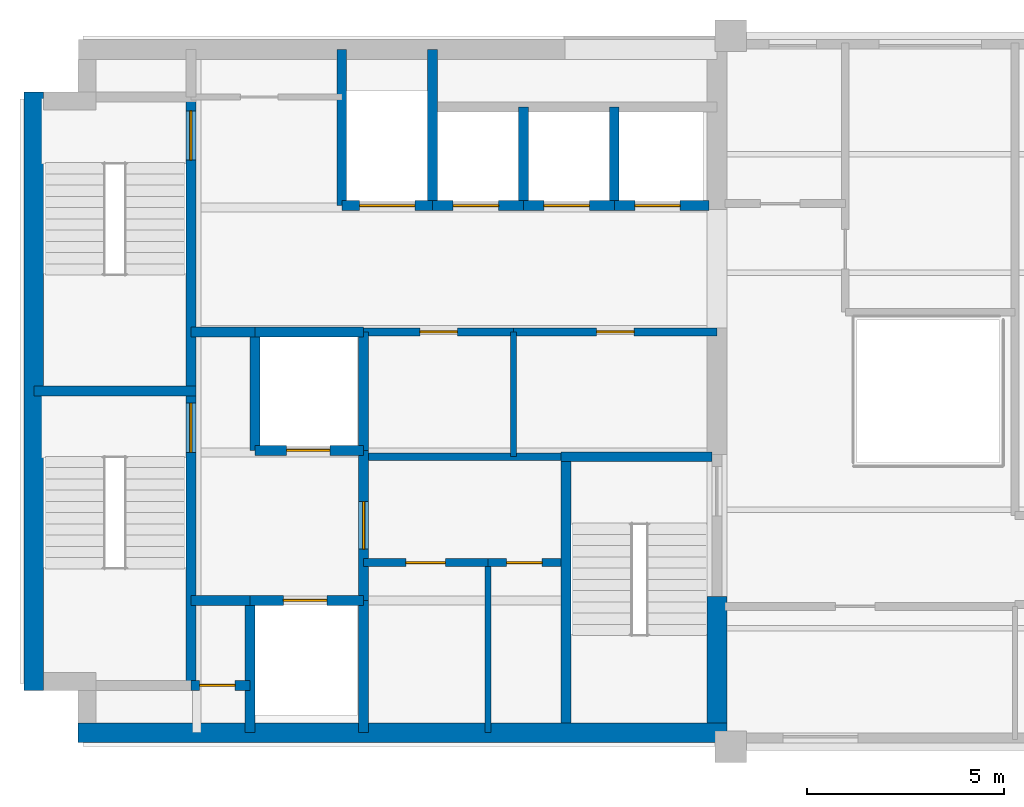
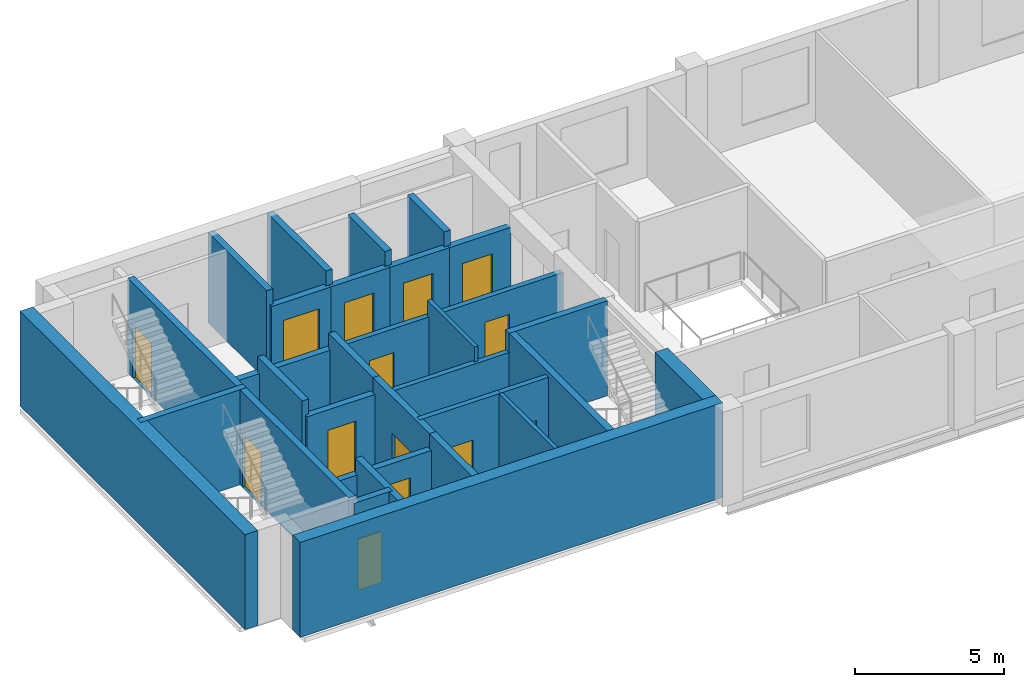
# One storey, part 2 of 5: 34 walls, 14 doors, 14 openings.
"""IFC4 building model written with IfcOpenShell, lengths in metres."""

from ifc_helpers import new_model, si_unit, direction, frame, frame_2d, origin, place, context, subcontext, project, spatial, rectangle, extrude, material, layer, layer_set, type_object, element, fill, save


model = new_model("IFC4")

# Units and contexts
model_context = context("Model", 3, precision=1e-05, world=origin(), true_north=direction((0.0, 1.0)))
body_context = subcontext(model_context, "Body", "Model", "MODEL_VIEW")
ifc_project = project(units=[si_unit("LENGTHUNIT", "METRE"), si_unit("AREAUNIT", "SQUARE_METRE"), si_unit("VOLUMEUNIT", "CUBIC_METRE"), si_unit("PLANEANGLEUNIT", "RADIAN"), si_unit("MASSUNIT", "GRAM", prefix="KILO")], contexts=[model_context])

# Site, building, storey
site_placement = place(None, origin())
site = spatial("IfcSite", under=ifc_project, at=site_placement, CompositionType="ELEMENT")
building_placement = place(site_placement, origin())
building = spatial("IfcBuilding", under=site, at=building_placement, Name="Mawjdan Bourse Tower", CompositionType="ELEMENT")
storey_placement = place(building_placement, frame((0.0, 0.0, 262.5)))
storey = spatial("IfcBuildingStorey", under=building, at=storey_placement, Name="L64", CompositionType="ELEMENT", Elevation=262.5)

# Wall, opening, door
ifc_material_1 = material(Name="Gypsum Fireboard Assembly")
ifc_layer_1 = layer(ifc_material_1, 0.199951171875)
ifc_layer_set_1 = layer_set([ifc_layer_1], Name="Gypsum Fireboard Assembly")
wall_type_1 = type_object("IfcWallType", Name="WL-CMP-200", PredefinedType="PARTITIONING", material=ifc_layer_set_1)
wall_1_placement = place(storey_placement, frame((14.699951171875, 7.659912109375, 0.0), z_axis=(0.0, 0.0, 1.0), x_axis=(1.0, 0.0, 0.0)))
wall_1 = element("IfcWall", 1, at=wall_1_placement, inside=storey, type_object=wall_type_1, Name="L64 Prayer & Quiet Reflection Room North Wall", PredefinedType="PARTITIONING", context=body_context, shape_type="SweptSolid", body=[
    extrude(rectangle(XDim=3.150146484375, YDim=0.199951171875, at=frame_2d((1.5751953125, 0.0))), origin(), (0.0, 0.0, 1.0), 3.705078125),
])
opening_1_placement = place(wall_1_placement, frame((1.074951171875, 0.0, 0.0)))
opening_1 = element("IfcOpeningElement", 2, at=opening_1_placement, cuts=wall_1, Name="Opening D-L64-13", PredefinedType="OPENING", context=body_context, shape_type="SweptSolid", body=[
    extrude(rectangle(XDim=1.0, YDim=2.14990234375, at=frame_2d((0.5, 1.074951171875))), frame((0.0, 0.10986328125, 0.0), z_axis=(0.0, -1.0, 0.0), x_axis=(1.0, 0.0, 0.0)), (0.0, 0.0, 1.0), 0.219970703125),
])
ifc_material_2 = material(Name="Hardwood Acoustic Leaf", Category="wood")
door_type_1 = type_object("IfcDoorType", Name="DR-OFC-1000", OperationType="NOTDEFINED", PredefinedType="DOOR", material=ifc_material_2)
door_1_placement = place(opening_1_placement, origin())
door_1 = element("IfcDoor", 3, at=door_1_placement, inside=storey, type_object=door_type_1, Name="L64 Prayer & Quiet Reflection Room Door D-L64-13", OperationType="SINGLE_SWING_LEFT", OverallHeight=2.14990234375, OverallWidth=1.0, PredefinedType="DOOR", context=body_context, shape_type="SweptSolid", body=[
    extrude(rectangle(XDim=1.0, YDim=2.14990234375, at=frame_2d((0.5, 1.074951171875))), frame((0.0, 0.02490234375, 0.0), z_axis=(0.0, -1.0, 0.0), x_axis=(1.0, 0.0, 0.0)), (0.0, 0.0, 1.0), 0.050048828125),
])
fill(opening_1, door_1)

wall_2_placement = place(storey_placement, frame((17.85009765625, 7.659912109375, 0.0), z_axis=(0.0, 0.0, 1.0), x_axis=(1.0, 0.0, 0.0)))
wall_2 = element("IfcWall", 4, at=wall_2_placement, inside=storey, type_object=wall_type_1, Name="L64 Electrical Switchboard Room North Wall", PredefinedType="PARTITIONING", context=body_context, shape_type="SweptSolid", body=[
    extrude(rectangle(XDim=1.849853515625, YDim=0.199951171875, at=frame_2d((0.9248046875, 0.0))), origin(), (0.0, 0.0, 1.0), 3.705078125),
])
opening_2_placement = place(wall_2_placement, frame((0.47509765625, 0.0, 0.0)))
opening_2 = element("IfcOpeningElement", 5, at=opening_2_placement, cuts=wall_2, Name="Opening D-L64-14", PredefinedType="OPENING", context=body_context, shape_type="SweptSolid", body=[
    extrude(rectangle(XDim=0.89990234375, YDim=2.10009765625, at=frame_2d((0.449951171875, 1.050048828125))), frame((0.0, 0.10986328125, 0.0), z_axis=(0.0, -1.0, 0.0), x_axis=(1.0, 0.0, 0.0)), (0.0, 0.0, 1.0), 0.219970703125),
])
ifc_material_3 = material(Name="Fire-Rated Steel Access Leaf", Category="steel")
door_type_2 = type_object("IfcDoorType", Name="FD-RSR-0900", OperationType="NOTDEFINED", PredefinedType="TRAPDOOR", material=ifc_material_3)
door_2_placement = place(opening_2_placement, origin())
door_2 = element("IfcDoor", 6, at=door_2_placement, inside=storey, type_object=door_type_2, Name="L64 Electrical Switchboard Room Door D-L64-14", OperationType="SINGLE_SWING_RIGHT", OverallHeight=2.10009765625, OverallWidth=0.89990234375, PredefinedType="TRAPDOOR", context=body_context, shape_type="SweptSolid", body=[
    extrude(rectangle(XDim=0.89990234375, YDim=2.10009765625, at=frame_2d((0.449951171875, 1.050048828125))), frame((0.0, 0.02490234375, 0.0), z_axis=(0.0, -1.0, 0.0), x_axis=(1.0, 0.0, 0.0)), (0.0, 0.0, 1.0), 0.050048828125),
])
fill(opening_2, door_2)

# Wall
wall_3_placement = place(storey_placement, frame((14.824951171875, 10.340087890625, 0.0), z_axis=(0.0, 0.0, 1.0), x_axis=(1.0, 0.0, 0.0)))
element("IfcWall", 7, at=wall_3_placement, inside=storey, type_object=wall_type_1, Name="L64 Core Restroom Suite South Wall", PredefinedType="PARTITIONING", context=body_context, shape_type="SweptSolid", body=[
    extrude(rectangle(XDim=4.880126953125, YDim=0.199951171875, at=frame_2d((2.43994140625, 0.0))), origin(), (0.0, 0.0, 1.0), 3.087890625),
])

# Wall, opening, door
wall_4_placement = place(storey_placement, frame((14.699951171875, 13.5, 0.0), z_axis=(0.0, 0.0, 1.0), x_axis=(1.0, 0.0, 0.0)))
wall_4 = element("IfcWall", 8, at=wall_4_placement, inside=storey, type_object=wall_type_1, Name="L64 Accessible WC North Wall", PredefinedType="PARTITIONING", context=body_context, shape_type="SweptSolid", body=[
    extrude(rectangle(XDim=3.800048828125, YDim=0.199951171875, at=frame_2d((1.89990234375, 0.0))), origin(), (0.0, 0.0, 1.0), 3.087890625),
])
opening_3_placement = place(wall_4_placement, frame((1.425048828125, 0.0, 0.0)))
opening_3 = element("IfcOpeningElement", 9, at=opening_3_placement, cuts=wall_4, Name="Opening D-L64-15", PredefinedType="OPENING", context=body_context, shape_type="SweptSolid", body=[
    extrude(rectangle(XDim=0.949951171875, YDim=2.10009765625, at=frame_2d((0.47509765625, 1.050048828125))), frame((0.0, 0.10986328125, 0.0), z_axis=(0.0, -1.0, 0.0), x_axis=(1.0, 0.0, 0.0)), (0.0, 0.0, 1.0), 0.219970703125),
])
ifc_material_4 = material(Name="Moisture-Resistant Laminate Timber", Category="wood")
door_type_3 = type_object("IfcDoorType", Name="DR-WET-0950", OperationType="NOTDEFINED", PredefinedType="DOOR", material=ifc_material_4)
door_3_placement = place(opening_3_placement, origin())
door_3 = element("IfcDoor", 10, at=door_3_placement, inside=storey, type_object=door_type_3, Name="L64 Accessible WC Door D-L64-15", OperationType="SINGLE_SWING_LEFT", OverallHeight=2.10009765625, OverallWidth=0.949951171875, PredefinedType="DOOR", context=body_context, shape_type="SweptSolid", body=[
    extrude(rectangle(XDim=0.949951171875, YDim=2.10009765625, at=frame_2d((0.47509765625, 1.050048828125))), frame((0.0, 0.02490234375, 0.0), z_axis=(0.0, -1.0, 0.0), x_axis=(1.0, 0.0, 0.0)), (0.0, 0.0, 1.0), 0.050048828125),
])
fill(opening_3, door_3)

wall_5_placement = place(storey_placement, frame((18.5, 13.5, 0.0), z_axis=(0.0, 0.0, 1.0), x_axis=(1.0, 0.0, 0.0)))
wall_5 = element("IfcWall", 11, at=wall_5_placement, inside=storey, type_object=wall_type_1, Name="L64 Female Restroom North Wall", PredefinedType="PARTITIONING", context=body_context, shape_type="SweptSolid", body=[
    extrude(rectangle(XDim=5.14990234375, YDim=0.199951171875, at=frame_2d((2.574951171875, 0.0))), origin(), (0.0, 0.0, 1.0), 3.087890625),
])
opening_4_placement = place(wall_5_placement, frame((2.10009765625, 0.0, 0.0)))
opening_4 = element("IfcOpeningElement", 12, at=opening_4_placement, cuts=wall_5, Name="Opening D-L64-16", PredefinedType="OPENING", context=body_context, shape_type="SweptSolid", body=[
    extrude(rectangle(XDim=0.949951171875, YDim=2.10009765625, at=frame_2d((0.47509765625, 1.050048828125))), frame((0.0, 0.10986328125, 0.0), z_axis=(0.0, -1.0, 0.0), x_axis=(1.0, 0.0, 0.0)), (0.0, 0.0, 1.0), 0.219970703125),
])
door_4_placement = place(opening_4_placement, origin())
door_4 = element("IfcDoor", 13, at=door_4_placement, inside=storey, type_object=door_type_3, Name="L64 Female Restroom Door D-L64-16", OperationType="SINGLE_SWING_RIGHT", OverallHeight=2.10009765625, OverallWidth=0.949951171875, PredefinedType="DOOR", context=body_context, shape_type="SweptSolid", body=[
    extrude(rectangle(XDim=0.949951171875, YDim=2.10009765625, at=frame_2d((0.47509765625, 1.050048828125))), frame((0.0, 0.02490234375, 0.0), z_axis=(0.0, -1.0, 0.0), x_axis=(1.0, 0.0, 0.0)), (0.0, 0.0, 1.0), 0.050048828125),
])
fill(opening_4, door_4)

# Walls
ifc_material_5 = material(Name="Concrete C60/75", Category="concrete")
ifc_layer_2 = layer(ifc_material_5, 0.5)
ifc_layer_set_2 = layer_set([ifc_layer_2], Name="Concrete C60/75")
wall_type_2 = type_object("IfcWallType", Name="WL-CORE-500", PredefinedType="SHEAR", material=ifc_layer_set_2)
wall_6_placement = place(storey_placement, frame((7.47509765625, 3.35009765625, 0.0), z_axis=(0.0, 0.0, 1.0), x_axis=(1.0, 0.0, 0.0)))
element("IfcWall", 14, at=wall_6_placement, inside=storey, type_object=wall_type_2, Name="L64 Rear Core Shear Wall S", PredefinedType="SHEAR", context=body_context, shape_type="SweptSolid", body=[
    extrude(rectangle(XDim=16.4248046875, YDim=0.5, at=frame_2d((8.21240234375, 0.0))), origin(), (0.0, 0.0, 1.0), 3.89990234375),
])
wall_7_placement = place(storey_placement, frame((6.35009765625, 4.425048828125, 0.0), z_axis=(0.0, 0.0, 1.0), x_axis=(0.0, 1.0, 0.0)))
element("IfcWall", 15, at=wall_7_placement, inside=storey, type_object=wall_type_2, Name="L64 Rear Core Shear Wall W", PredefinedType="SHEAR", context=body_context, shape_type="SweptSolid", body=[
    extrude(rectangle(XDim=15.14990234375, YDim=0.5, at=frame_2d((7.574951171875, 0.0))), origin(), (0.0, 0.0, 1.0), 3.89990234375),
])
wall_8_placement = place(storey_placement, frame((23.64990234375, 3.60009765625, 0.0), z_axis=(0.0, 0.0, 1.0), x_axis=(0.0, 1.0, 0.0)))
element("IfcWall", 16, at=wall_8_placement, inside=storey, type_object=wall_type_2, Name="L64 Rear Core Shear Wall E1", PredefinedType="SHEAR", context=body_context, shape_type="SweptSolid", body=[
    extrude(rectangle(XDim=3.199951171875, YDim=0.5, at=frame_2d((1.60009765625, 0.0))), origin(), (0.0, 0.0, 1.0), 3.89990234375),
])
ifc_material_6 = material(Name="Gypsum Acoustic Partition")
ifc_layer_3 = layer(ifc_material_6, 0.14990234375)
ifc_layer_set_3 = layer_set([ifc_layer_3], Name="Gypsum Acoustic Partition")
wall_type_3 = type_object("IfcWallType", Name="WL-PRT-150", PredefinedType="PARTITIONING", material=ifc_layer_set_3)
wall_9_placement = place(storey_placement, frame((17.85009765625, 3.35009765625, 0.0), z_axis=(0.0, 0.0, 1.0), x_axis=(0.0, 1.0, 0.0)))
element("IfcWall", 17, at=wall_9_placement, inside=storey, type_object=wall_type_3, Name="L64 Electrical Switchboard Room Core Split Wall", PredefinedType="PARTITIONING", context=body_context, shape_type="SweptSolid", body=[
    extrude(rectangle(XDim=4.309814453125, YDim=0.14990234375, at=frame_2d((2.15478515625, 0.0))), origin(), (0.0, 0.0, 1.0), 3.705078125),
])
wall_10_placement = place(storey_placement, frame((18.5, 10.340087890625, 0.0), z_axis=(0.0, 0.0, 1.0), x_axis=(0.0, 1.0, 0.0)))
element("IfcWall", 18, at=wall_10_placement, inside=storey, type_object=wall_type_3, Name="L64 Female Restroom Split Wall", PredefinedType="PARTITIONING", context=body_context, shape_type="SweptSolid", body=[
    extrude(rectangle(XDim=3.159912109375, YDim=0.14990234375, at=frame_2d((1.580078125, 0.0))), origin(), (0.0, 0.0, 1.0), 3.705078125),
])

# Wall, opening, door
ifc_material_7 = material(Name="Concrete C50/60", Category="concrete")
ifc_layer_4 = layer(ifc_material_7, 0.25)
ifc_layer_set_4 = layer_set([ifc_layer_4], Name="Concrete C50/60")
wall_type_4 = type_object("IfcWallType", Name="WL-SHFT-250", PredefinedType="PARTITIONING", material=ifc_layer_set_4)
wall_11_placement = place(storey_placement, frame((10.330078125, 4.550048828125, 0.0), z_axis=(0.0, 0.0, 1.0), x_axis=(1.0, 0.0, 0.0)))
wall_11 = element("IfcWall", 19, at=wall_11_placement, inside=storey, type_object=wall_type_4, Name="L64 SW Riser North Wall", PredefinedType="PARTITIONING", context=body_context, shape_type="SweptSolid", body=[
    extrude(rectangle(XDim=1.489990234375, YDim=0.25, at=frame_2d((0.7451171875, 0.0))), origin(), (0.0, 0.0, 1.0), 3.705078125),
])
opening_5_placement = place(wall_11_placement, frame((0.219970703125, 0.0, 0.0)))
opening_5 = element("IfcOpeningElement", 20, at=opening_5_placement, cuts=wall_11, Name="Opening RD-L64-03", PredefinedType="OPENING", context=body_context, shape_type="SweptSolid", body=[
    extrude(rectangle(XDim=0.89990234375, YDim=2.10009765625, at=frame_2d((0.449951171875, 1.050048828125))), frame((0.0, 0.135009765625, 0.0), z_axis=(0.0, -1.0, 0.0), x_axis=(1.0, 0.0, 0.0)), (0.0, 0.0, 1.0), 0.27001953125),
])
door_5_placement = place(opening_5_placement, origin())
door_5 = element("IfcDoor", 21, at=door_5_placement, inside=storey, type_object=door_type_2, Name="L64 Electrical Riser Access Door RD-L64-03", OperationType="SINGLE_SWING_LEFT", OverallHeight=2.10009765625, OverallWidth=0.89990234375, PredefinedType="TRAPDOOR", context=body_context, shape_type="SweptSolid", body=[
    extrude(rectangle(XDim=0.89990234375, YDim=2.10009765625, at=frame_2d((0.449951171875, 1.050048828125))), frame((0.0, 0.02490234375, 0.0), z_axis=(0.0, -1.0, 0.0), x_axis=(1.0, 0.0, 0.0)), (0.0, 0.0, 1.0), 0.050048828125),
])
fill(opening_5, door_5)

# Wall
wall_12_placement = place(storey_placement, frame((11.820068359375, 3.35009765625, 0.0), z_axis=(0.0, 0.0, 1.0), x_axis=(0.0, 1.0, 0.0)))
element("IfcWall", 22, at=wall_12_placement, inside=storey, type_object=wall_type_4, Name="L64 SW Riser & FFL01 West Wall", PredefinedType="PARTITIONING", context=body_context, shape_type="SweptSolid", body=[
    extrude(rectangle(XDim=3.349853515625, YDim=0.25, at=frame_2d((1.6748046875, 0.0))), origin(), (0.0, 0.0, 1.0), 3.705078125),
])

# Wall, opening, door
wall_13_placement = place(storey_placement, frame((11.820068359375, 6.699951171875, 0.0), z_axis=(0.0, 0.0, 1.0), x_axis=(1.0, 0.0, 0.0)))
wall_13 = element("IfcWall", 23, at=wall_13_placement, inside=storey, type_object=wall_type_4, Name="L64 FFL-01 Front Shaft Wall", PredefinedType="PARTITIONING", context=body_context, shape_type="SweptSolid", body=[
    extrude(rectangle(XDim=2.8798828125, YDim=0.25, at=frame_2d((1.43994140625, 0.0))), origin(), (0.0, 0.0, 1.0), 3.087890625),
])
opening_6_placement = place(wall_13_placement, frame((0.85009765625, 0.0, 0.0)))
opening_6 = element("IfcOpeningElement", 24, at=opening_6_placement, cuts=wall_13, Name="Opening LD-L64-05", PredefinedType="OPENING", context=body_context, shape_type="SweptSolid", body=[
    extrude(rectangle(XDim=1.10009765625, YDim=2.25, at=frame_2d((0.550048828125, 1.125))), frame((0.0, 0.135009765625, 0.0), z_axis=(0.0, -1.0, 0.0), x_axis=(1.0, 0.0, 0.0)), (0.0, 0.0, 1.0), 0.27001953125),
])
ifc_material_8 = material(Name="Brushed Stainless Steel", Category="steel")
door_type_4 = type_object("IfcDoorType", Name="LD-FFL-1100", OperationType="DOUBLE_DOOR_SLIDING", PredefinedType="DOOR", material=ifc_material_8)
door_6_placement = place(opening_6_placement, origin())
door_6 = element("IfcDoor", 25, at=door_6_placement, inside=storey, type_object=door_type_4, Name="L64 Firefighting Lift FFL-01 Landing Door LD-L64-05", OperationType="DOUBLE_DOOR_SLIDING", OverallHeight=2.25, OverallWidth=1.10009765625, PredefinedType="DOOR", context=body_context, shape_type="SweptSolid", body=[
    extrude(rectangle(XDim=1.10009765625, YDim=2.25, at=frame_2d((0.550048828125, 1.125))), frame((0.0, 0.02490234375, 0.0), z_axis=(0.0, -1.0, 0.0), x_axis=(1.0, 0.0, 0.0)), (0.0, 0.0, 1.0), 0.050048828125),
])
fill(opening_6, door_6)

# Wall
wall_14_placement = place(storey_placement, frame((14.699951171875, 3.35009765625, 0.0), z_axis=(0.0, 0.0, 1.0), x_axis=(0.0, 1.0, 0.0)))
element("IfcWall", 26, at=wall_14_placement, inside=storey, type_object=wall_type_4, Name="L64 FFL-01 East Shaft Wall", PredefinedType="PARTITIONING", context=body_context, shape_type="SweptSolid", body=[
    extrude(rectangle(XDim=3.349853515625, YDim=0.25, at=frame_2d((1.6748046875, 0.0))), origin(), (0.0, 0.0, 1.0), 3.705078125),
])

# Wall, opening, door
wall_15_placement = place(storey_placement, frame((11.949951171875, 10.5, 0.0), z_axis=(0.0, 0.0, 1.0), x_axis=(1.0, 0.0, 0.0)))
wall_15 = element("IfcWall", 27, at=wall_15_placement, inside=storey, type_object=wall_type_4, Name="L64 FFL-02 Front Shaft Wall", PredefinedType="PARTITIONING", context=body_context, shape_type="SweptSolid", body=[
    extrude(rectangle(XDim=2.75, YDim=0.25, at=frame_2d((1.375, 0.0))), origin(), (0.0, 0.0, 1.0), 3.087890625),
])
opening_7_placement = place(wall_15_placement, frame((0.800048828125, 0.0, 0.0)))
opening_7 = element("IfcOpeningElement", 28, at=opening_7_placement, cuts=wall_15, Name="Opening LD-L64-06", PredefinedType="OPENING", context=body_context, shape_type="SweptSolid", body=[
    extrude(rectangle(XDim=1.10009765625, YDim=2.25, at=frame_2d((0.550048828125, 1.125))), frame((0.0, 0.135009765625, 0.0), z_axis=(0.0, -1.0, 0.0), x_axis=(1.0, 0.0, 0.0)), (0.0, 0.0, 1.0), 0.27001953125),
])
door_7_placement = place(opening_7_placement, origin())
door_7 = element("IfcDoor", 29, at=door_7_placement, inside=storey, type_object=door_type_4, Name="L64 Firefighting Lift FFL-02 Landing Door LD-L64-06", OperationType="DOUBLE_DOOR_SLIDING", OverallHeight=2.25, OverallWidth=1.10009765625, PredefinedType="DOOR", context=body_context, shape_type="SweptSolid", body=[
    extrude(rectangle(XDim=1.10009765625, YDim=2.25, at=frame_2d((0.550048828125, 1.125))), frame((0.0, 0.02490234375, 0.0), z_axis=(0.0, -1.0, 0.0), x_axis=(1.0, 0.0, 0.0)), (0.0, 0.0, 1.0), 0.050048828125),
])
fill(opening_7, door_7)

# Walls
wall_16_placement = place(storey_placement, frame((11.949951171875, 10.5, 0.0), z_axis=(0.0, 0.0, 1.0), x_axis=(0.0, 1.0, 0.0)))
element("IfcWall", 30, at=wall_16_placement, inside=storey, type_object=wall_type_4, Name="L64 FFL-02 West Shaft Wall", PredefinedType="PARTITIONING", context=body_context, shape_type="SweptSolid", body=[
    extrude(rectangle(XDim=3.0, YDim=0.25, at=frame_2d((1.5, 0.0))), origin(), (0.0, 0.0, 1.0), 3.705078125),
])
wall_17_placement = place(storey_placement, frame((11.949951171875, 13.5, 0.0), z_axis=(0.0, 0.0, 1.0), x_axis=(1.0, 0.0, 0.0)))
element("IfcWall", 31, at=wall_17_placement, inside=storey, type_object=wall_type_4, Name="L64 FFL-02 North Shaft Wall", PredefinedType="PARTITIONING", context=body_context, shape_type="SweptSolid", body=[
    extrude(rectangle(XDim=2.75, YDim=0.25, at=frame_2d((1.375, 0.0))), origin(), (0.0, 0.0, 1.0), 3.087890625),
])
wall_18_placement = place(storey_placement, frame((14.699951171875, 10.5, 0.0), z_axis=(0.0, 0.0, 1.0), x_axis=(0.0, 1.0, 0.0)))
element("IfcWall", 32, at=wall_18_placement, inside=storey, type_object=wall_type_4, Name="L64 FFL-02 East Shaft Wall", PredefinedType="PARTITIONING", context=body_context, shape_type="SweptSolid", body=[
    extrude(rectangle(XDim=3.0, YDim=0.25, at=frame_2d((1.5, 0.0))), origin(), (0.0, 0.0, 1.0), 3.705078125),
])

# Wall, opening, door
wall_19_placement = place(storey_placement, frame((14.699951171875, 6.699951171875, 0.0), z_axis=(0.0, 0.0, 1.0), x_axis=(0.0, 1.0, 0.0)))
wall_19 = element("IfcWall", 33, at=wall_19_placement, inside=storey, type_object=wall_type_4, Name="L64 Firefighting Lobby East Compartment Wall", PredefinedType="PARTITIONING", context=body_context, shape_type="SweptSolid", body=[
    extrude(rectangle(XDim=3.800048828125, YDim=0.25, at=frame_2d((1.89990234375, 0.0))), origin(), (0.0, 0.0, 1.0), 3.705078125),
])
opening_8_placement = place(wall_19_placement, frame((1.300048828125, 0.0, 0.0)))
opening_8 = element("IfcOpeningElement", 34, at=opening_8_placement, cuts=wall_19, Name="Opening FD-L64-07", PredefinedType="OPENING", context=body_context, shape_type="SweptSolid", body=[
    extrude(rectangle(XDim=1.199951171875, YDim=2.199951171875, at=frame_2d((0.60009765625, 1.10009765625))), frame((0.0, 0.135009765625, 0.0), z_axis=(0.0, -1.0, 0.0), x_axis=(1.0, 0.0, 0.0)), (0.0, 0.0, 1.0), 0.27001953125),
])
ifc_material_9 = material(Name="Fire-Rated Steel Leaf", Category="steel")
door_type_5 = type_object("IfcDoorType", Name="FD-FFL-1200", OperationType="NOTDEFINED", PredefinedType="DOOR", material=ifc_material_9)
door_8_placement = place(opening_8_placement, origin())
door_8 = element("IfcDoor", 35, at=door_8_placement, inside=storey, type_object=door_type_5, Name="L64 Firefighting Lobby East Smoke Door FD-L64-07", OperationType="SINGLE_SWING_LEFT", OverallHeight=2.199951171875, OverallWidth=1.199951171875, PredefinedType="DOOR", context=body_context, shape_type="SweptSolid", body=[
    extrude(rectangle(XDim=1.199951171875, YDim=2.199951171875, at=frame_2d((0.60009765625, 1.10009765625))), frame((0.0, 0.02490234375, 0.0), z_axis=(0.0, -1.0, 0.0), x_axis=(1.0, 0.0, 0.0)), (0.0, 0.0, 1.0), 0.050048828125),
])
fill(opening_8, door_8)

# Walls
wall_20_placement = place(storey_placement, frame((10.330078125, 13.5, 0.0), z_axis=(0.0, 0.0, 1.0), x_axis=(1.0, 0.0, 0.0)))
element("IfcWall", 36, at=wall_20_placement, inside=storey, type_object=wall_type_4, Name="L64 Firefighting Lobby North Compartment Wall", PredefinedType="PARTITIONING", context=body_context, shape_type="SweptSolid", body=[
    extrude(rectangle(XDim=1.619873046875, YDim=0.25, at=frame_2d((0.81005859375, 0.0))), origin(), (0.0, 0.0, 1.0), 3.087890625),
])
wall_21_placement = place(storey_placement, frame((10.330078125, 6.699951171875, 0.0), z_axis=(0.0, 0.0, 1.0), x_axis=(1.0, 0.0, 0.0)))
element("IfcWall", 37, at=wall_21_placement, inside=storey, type_object=wall_type_4, Name="L64 Firefighting Lobby South Closure Wall", PredefinedType="PARTITIONING", context=body_context, shape_type="SweptSolid", body=[
    extrude(rectangle(XDim=1.489990234375, YDim=0.25, at=frame_2d((0.7451171875, 0.0))), origin(), (0.0, 0.0, 1.0), 3.087890625),
])

# Wall, opening, door
wall_22_placement = place(storey_placement, frame((14.14990234375, 16.699951171875, 0.0), z_axis=(0.0, 0.0, 1.0), x_axis=(1.0, 0.0, 0.0)))
wall_22 = element("IfcWall", 38, at=wall_22_placement, inside=storey, type_object=wall_type_4, Name="L64 SVL-01 Front Shaft Wall", PredefinedType="PARTITIONING", context=body_context, shape_type="SweptSolid", body=[
    extrude(rectangle(XDim=2.300048828125, YDim=0.25, at=frame_2d((1.14990234375, 0.0))), origin(), (0.0, 0.0, 1.0), 3.087890625),
])
opening_9_placement = place(wall_22_placement, frame((0.449951171875, 0.0, 0.0)))
opening_9 = element("IfcOpeningElement", 39, at=opening_9_placement, cuts=wall_22, Name="Opening LD-L64-09", PredefinedType="OPENING", context=body_context, shape_type="SweptSolid", body=[
    extrude(rectangle(XDim=1.39990234375, YDim=2.35009765625, at=frame_2d((0.699951171875, 1.175048828125))), frame((0.0, 0.135009765625, 0.0), z_axis=(0.0, -1.0, 0.0), x_axis=(1.0, 0.0, 0.0)), (0.0, 0.0, 1.0), 0.27001953125),
])
ifc_material_10 = material(Name="Heavy-Duty Stainless Steel", Category="steel")
door_type_6 = type_object("IfcDoorType", Name="LD-SRV-1400", OperationType="DOUBLE_DOOR_SLIDING", PredefinedType="DOOR", material=ifc_material_10)
door_9_placement = place(opening_9_placement, origin())
door_9 = element("IfcDoor", 40, at=door_9_placement, inside=storey, type_object=door_type_6, Name="L64 Service Lift SVL-01 Landing Door LD-L64-09", OperationType="DOUBLE_DOOR_SLIDING", OverallHeight=2.35009765625, OverallWidth=1.39990234375, PredefinedType="DOOR", context=body_context, shape_type="SweptSolid", body=[
    extrude(rectangle(XDim=1.39990234375, YDim=2.35009765625, at=frame_2d((0.699951171875, 1.175048828125))), frame((0.0, 0.02490234375, 0.0), z_axis=(0.0, -1.0, 0.0), x_axis=(1.0, 0.0, 0.0)), (0.0, 0.0, 1.0), 0.050048828125),
])
fill(opening_9, door_9)

# Walls
for number, where, z_axis, x_axis, name in (
    (41, (14.14990234375, 16.699951171875, 0.0), (0.0, 0.0, 1.0), (0.0, 1.0, 0.0), "L64 SVL-01 West Shaft Wall"),
    (42, (16.449951171875, 16.699951171875, 0.0), (0.0, 0.0, 1.0), (0.0, 1.0, 0.0), "L64 SVL-01 East Shaft Wall"),
):
    element("IfcWall", number, at=place(storey_placement, frame(where, z_axis=z_axis, x_axis=x_axis)), inside=storey, type_object=wall_type_4, Name=name, PredefinedType="PARTITIONING", context=body_context, shape_type="SweptSolid", body=[
        extrude(rectangle(XDim=3.949951171875, YDim=0.25, at=frame_2d((1.97509765625, 0.0))), origin(), (0.0, 0.0, 1.0), 3.705078125),
    ])

# Wall, opening, door
wall_23_placement = place(storey_placement, frame((16.449951171875, 16.699951171875, 0.0), z_axis=(0.0, 0.0, 1.0), x_axis=(1.0, 0.0, 0.0)))
wall_23 = element("IfcWall", 43, at=wall_23_placement, inside=storey, type_object=wall_type_4, Name="L64 PH-01 Front Wall", PredefinedType="PARTITIONING", context=body_context, shape_type="SweptSolid", body=[
    extrude(rectangle(XDim=2.300048828125, YDim=0.25, at=frame_2d((1.14990234375, 0.0))), origin(), (0.0, 0.0, 1.0), 3.087890625),
])
opening_10_placement = place(wall_23_placement, frame((0.52001953125, 0.0, 0.0)))
opening_10 = element("IfcOpeningElement", 44, at=opening_10_placement, cuts=wall_23, Name="Opening LD-L64-10", PredefinedType="OPENING", context=body_context, shape_type="SweptSolid", body=[
    extrude(rectangle(XDim=1.14990234375, YDim=2.25, at=frame_2d((0.574951171875, 1.125))), frame((0.0, 0.135009765625, 0.0), z_axis=(0.0, -1.0, 0.0), x_axis=(1.0, 0.0, 0.0)), (0.0, 0.0, 1.0), 0.27001953125),
])
door_type_7 = type_object("IfcDoorType", Name="LD-PAS-1150", OperationType="DOUBLE_DOOR_SLIDING", PredefinedType="DOOR", material=ifc_material_8)
door_10_placement = place(opening_10_placement, origin())
door_10 = element("IfcDoor", 45, at=door_10_placement, inside=storey, type_object=door_type_7, Name="L64 Lift PH-01 Landing Door LD-L64-10", OperationType="DOUBLE_DOOR_SLIDING", OverallHeight=2.25, OverallWidth=1.14990234375, PredefinedType="DOOR", context=body_context, shape_type="SweptSolid", body=[
    extrude(rectangle(XDim=1.14990234375, YDim=2.25, at=frame_2d((0.574951171875, 1.125))), frame((0.0, 0.02490234375, 0.0), z_axis=(0.0, -1.0, 0.0), x_axis=(1.0, 0.0, 0.0)), (0.0, 0.0, 1.0), 0.050048828125),
])
fill(opening_10, door_10)

# Wall
wall_24_placement = place(storey_placement, frame((18.75, 16.699951171875, 0.0), z_axis=(0.0, 0.0, 1.0), x_axis=(0.0, 1.0, 0.0)))
element("IfcWall", 46, at=wall_24_placement, inside=storey, type_object=wall_type_4, Name="L64 PH-01 Divider Wall", PredefinedType="PARTITIONING", context=body_context, shape_type="SweptSolid", body=[
    extrude(rectangle(XDim=2.5, YDim=0.25, at=frame_2d((1.25, 0.0))), origin(), (0.0, 0.0, 1.0), 3.705078125),
])

# Wall, opening, door
wall_25_placement = place(storey_placement, frame((18.75, 16.699951171875, 0.0), z_axis=(0.0, 0.0, 1.0), x_axis=(1.0, 0.0, 0.0)))
wall_25 = element("IfcWall", 47, at=wall_25_placement, inside=storey, type_object=wall_type_4, Name="L64 PH-02 Front Wall", PredefinedType="PARTITIONING", context=body_context, shape_type="SweptSolid", body=[
    extrude(rectangle(XDim=2.300048828125, YDim=0.25, at=frame_2d((1.14990234375, 0.0))), origin(), (0.0, 0.0, 1.0), 3.087890625),
])
opening_11_placement = place(wall_25_placement, frame((0.52001953125, 0.0, 0.0)))
opening_11 = element("IfcOpeningElement", 48, at=opening_11_placement, cuts=wall_25, Name="Opening LD-L64-11", PredefinedType="OPENING", context=body_context, shape_type="SweptSolid", body=[
    extrude(rectangle(XDim=1.14990234375, YDim=2.25, at=frame_2d((0.574951171875, 1.125))), frame((0.0, 0.135009765625, 0.0), z_axis=(0.0, -1.0, 0.0), x_axis=(1.0, 0.0, 0.0)), (0.0, 0.0, 1.0), 0.27001953125),
])
door_11_placement = place(opening_11_placement, origin())
door_11 = element("IfcDoor", 49, at=door_11_placement, inside=storey, type_object=door_type_7, Name="L64 Lift PH-02 Landing Door LD-L64-11", OperationType="DOUBLE_DOOR_SLIDING", OverallHeight=2.25, OverallWidth=1.14990234375, PredefinedType="DOOR", context=body_context, shape_type="SweptSolid", body=[
    extrude(rectangle(XDim=1.14990234375, YDim=2.25, at=frame_2d((0.574951171875, 1.125))), frame((0.0, 0.02490234375, 0.0), z_axis=(0.0, -1.0, 0.0), x_axis=(1.0, 0.0, 0.0)), (0.0, 0.0, 1.0), 0.050048828125),
])
fill(opening_11, door_11)

# Wall
wall_26_placement = place(storey_placement, frame((21.050048828125, 16.699951171875, 0.0), z_axis=(0.0, 0.0, 1.0), x_axis=(0.0, 1.0, 0.0)))
element("IfcWall", 50, at=wall_26_placement, inside=storey, type_object=wall_type_4, Name="L64 PH-02 Divider Wall", PredefinedType="PARTITIONING", context=body_context, shape_type="SweptSolid", body=[
    extrude(rectangle(XDim=2.5, YDim=0.25, at=frame_2d((1.25, 0.0))), origin(), (0.0, 0.0, 1.0), 3.705078125),
])

# Wall, opening, door
wall_27_placement = place(storey_placement, frame((21.050048828125, 16.699951171875, 0.0), z_axis=(0.0, 0.0, 1.0), x_axis=(1.0, 0.0, 0.0)))
wall_27 = element("IfcWall", 51, at=wall_27_placement, inside=storey, type_object=wall_type_4, Name="L64 PH-03 Front Wall", PredefinedType="PARTITIONING", context=body_context, shape_type="SweptSolid", body=[
    extrude(rectangle(XDim=2.39990234375, YDim=0.25, at=frame_2d((1.199951171875, 0.0))), origin(), (0.0, 0.0, 1.0), 3.087890625),
])
opening_12_placement = place(wall_27_placement, frame((0.52001953125, 0.0, 0.0)))
opening_12 = element("IfcOpeningElement", 52, at=opening_12_placement, cuts=wall_27, Name="Opening LD-L64-12", PredefinedType="OPENING", context=body_context, shape_type="SweptSolid", body=[
    extrude(rectangle(XDim=1.14990234375, YDim=2.25, at=frame_2d((0.574951171875, 1.125))), frame((0.0, 0.135009765625, 0.0), z_axis=(0.0, -1.0, 0.0), x_axis=(1.0, 0.0, 0.0)), (0.0, 0.0, 1.0), 0.27001953125),
])
door_12_placement = place(opening_12_placement, origin())
door_12 = element("IfcDoor", 53, at=door_12_placement, inside=storey, type_object=door_type_7, Name="L64 Lift PH-03 Landing Door LD-L64-12", OperationType="DOUBLE_DOOR_SLIDING", OverallHeight=2.25, OverallWidth=1.14990234375, PredefinedType="DOOR", context=body_context, shape_type="SweptSolid", body=[
    extrude(rectangle(XDim=1.14990234375, YDim=2.25, at=frame_2d((0.574951171875, 1.125))), frame((0.0, 0.02490234375, 0.0), z_axis=(0.0, -1.0, 0.0), x_axis=(1.0, 0.0, 0.0)), (0.0, 0.0, 1.0), 0.050048828125),
])
fill(opening_12, door_12)

# Wall
ifc_layer_5 = layer(ifc_material_7, 0.25)
ifc_layer_set_5 = layer_set([ifc_layer_5], Name="Concrete C50/60")
wall_type_5 = type_object("IfcWallType", Name="WL-STRW-250", PredefinedType="SHEAR", material=ifc_layer_set_5)
wall_28_placement = place(storey_placement, frame((6.35009765625, 12.0, 0.0), z_axis=(0.0, 0.0, 1.0), x_axis=(1.0, 0.0, 0.0)))
element("IfcWall", 54, at=wall_28_placement, inside=storey, type_object=wall_type_5, Name="L64 Stairwell Dividing Shaft Wall", PredefinedType="SHEAR", context=body_context, shape_type="SweptSolid", body=[
    extrude(rectangle(XDim=4.10498046875, YDim=0.25, at=frame_2d((2.052490234375, 0.0))), origin(), (0.0, 0.0, 1.0), 3.89990234375),
])

# Wall, opening, door
wall_29_placement = place(storey_placement, frame((10.330078125, 4.550048828125, 0.0), z_axis=(0.0, 0.0, 1.0), x_axis=(0.0, 1.0, 0.0)))
wall_29 = element("IfcWall", 55, at=wall_29_placement, inside=storey, type_object=wall_type_5, Name="L64 Stairwell ST1 East Enclosure Wall", PredefinedType="SHEAR", context=body_context, shape_type="SweptSolid", body=[
    extrude(rectangle(XDim=7.449951171875, YDim=0.25, at=frame_2d((3.72509765625, 0.0))), origin(), (0.0, 0.0, 1.0), 3.89990234375),
])
opening_13_placement = place(wall_29_placement, frame((5.89990234375, 0.0, 0.0)))
opening_13 = element("IfcOpeningElement", 56, at=opening_13_placement, cuts=wall_29, Name="Opening SD-L64-01", PredefinedType="OPENING", context=body_context, shape_type="SweptSolid", body=[
    extrude(rectangle(XDim=1.25, YDim=2.199951171875, at=frame_2d((0.625, 1.10009765625))), frame((0.0, 0.135009765625, 0.0), z_axis=(0.0, -1.0, 0.0), x_axis=(1.0, 0.0, 0.0)), (0.0, 0.0, 1.0), 0.27001953125),
])
door_type_8 = type_object("IfcDoorType", Name="FD-ST-1250", OperationType="NOTDEFINED", PredefinedType="DOOR", material=ifc_material_9)
door_13_placement = place(opening_13_placement, origin())
door_13 = element("IfcDoor", 57, at=door_13_placement, inside=storey, type_object=door_type_8, Name="L64 Exit Stair ST1 Fire Door SD-L64-01", OperationType="SINGLE_SWING_LEFT", OverallHeight=2.199951171875, OverallWidth=1.25, PredefinedType="DOOR", context=body_context, shape_type="SweptSolid", body=[
    extrude(rectangle(XDim=1.25, YDim=2.199951171875, at=frame_2d((0.625, 1.10009765625))), frame((0.0, 0.02490234375, 0.0), z_axis=(0.0, -1.0, 0.0), x_axis=(1.0, 0.0, 0.0)), (0.0, 0.0, 1.0), 0.050048828125),
])
fill(opening_13, door_13)

wall_30_placement = place(storey_placement, frame((10.330078125, 12.0, 0.0), z_axis=(0.0, 0.0, 1.0), x_axis=(0.0, 1.0, 0.0)))
wall_30 = element("IfcWall", 58, at=wall_30_placement, inside=storey, type_object=wall_type_5, Name="L64 Stairwell ST2 East Enclosure Wall", PredefinedType="SHEAR", context=body_context, shape_type="SweptSolid", body=[
    extrude(rectangle(XDim=7.449951171875, YDim=0.25, at=frame_2d((3.72509765625, 0.0))), origin(), (0.0, 0.0, 1.0), 3.89990234375),
])
opening_14_placement = place(wall_30_placement, frame((5.85009765625, 0.0, 0.0)))
opening_14 = element("IfcOpeningElement", 59, at=opening_14_placement, cuts=wall_30, Name="Opening SD-L64-02", PredefinedType="OPENING", context=body_context, shape_type="SweptSolid", body=[
    extrude(rectangle(XDim=1.25, YDim=2.199951171875, at=frame_2d((0.625, 1.10009765625))), frame((0.0, 0.135009765625, 0.0), z_axis=(0.0, -1.0, 0.0), x_axis=(1.0, 0.0, 0.0)), (0.0, 0.0, 1.0), 0.27001953125),
])
door_14_placement = place(opening_14_placement, origin())
door_14 = element("IfcDoor", 60, at=door_14_placement, inside=storey, type_object=door_type_8, Name="L64 Exit Stair ST2 Fire Door SD-L64-02", OperationType="SINGLE_SWING_RIGHT", OverallHeight=2.199951171875, OverallWidth=1.25, PredefinedType="DOOR", context=body_context, shape_type="SweptSolid", body=[
    extrude(rectangle(XDim=1.25, YDim=2.199951171875, at=frame_2d((0.625, 1.10009765625))), frame((0.0, 0.02490234375, 0.0), z_axis=(0.0, -1.0, 0.0), x_axis=(1.0, 0.0, 0.0)), (0.0, 0.0, 1.0), 0.050048828125),
])
fill(opening_14, door_14)

# Walls
wall_31_placement = place(storey_placement, frame((19.830078125, 3.60009765625, 0.0), z_axis=(0.0, 0.0, 1.0), x_axis=(0.0, 1.0, 0.0)))
element("IfcWall", 61, at=wall_31_placement, inside=storey, type_object=wall_type_5, Name="L64 ST7 West Shaft Wall", PredefinedType="SHEAR", context=body_context, shape_type="SweptSolid", body=[
    extrude(rectangle(XDim=6.739990234375, YDim=0.25, at=frame_2d((3.3701171875, 0.0))), origin(), (0.0, 0.0, 1.0), 3.89990234375),
])
wall_32_placement = place(storey_placement, frame((19.705078125, 10.340087890625, 0.0), z_axis=(0.0, 0.0, 1.0), x_axis=(1.0, 0.0, 0.0)))
element("IfcWall", 62, at=wall_32_placement, inside=storey, type_object=wall_type_5, Name="L64 ST7 North Shaft Wall", PredefinedType="SHEAR", context=body_context, shape_type="SweptSolid", body=[
    extrude(rectangle(XDim=3.81982421875, YDim=0.25, at=frame_2d((1.909912109375, 0.0))), origin(), (0.0, 0.0, 1.0), 3.89990234375),
])

save(model, "model.ifc")
